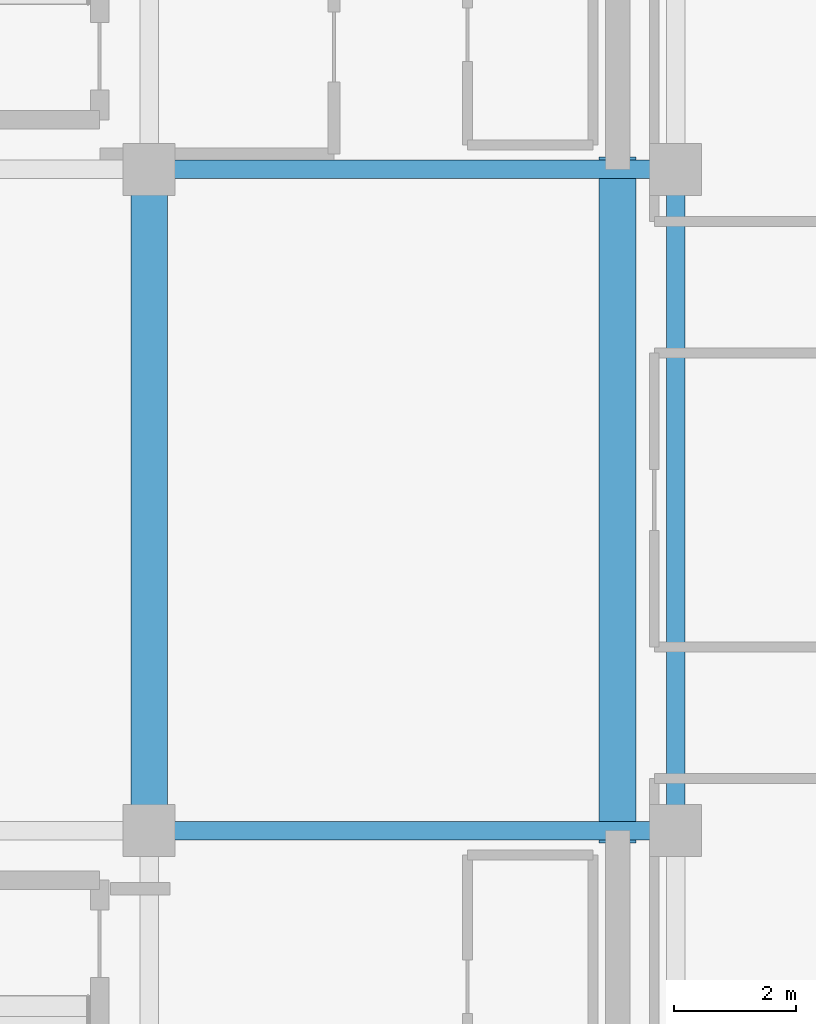
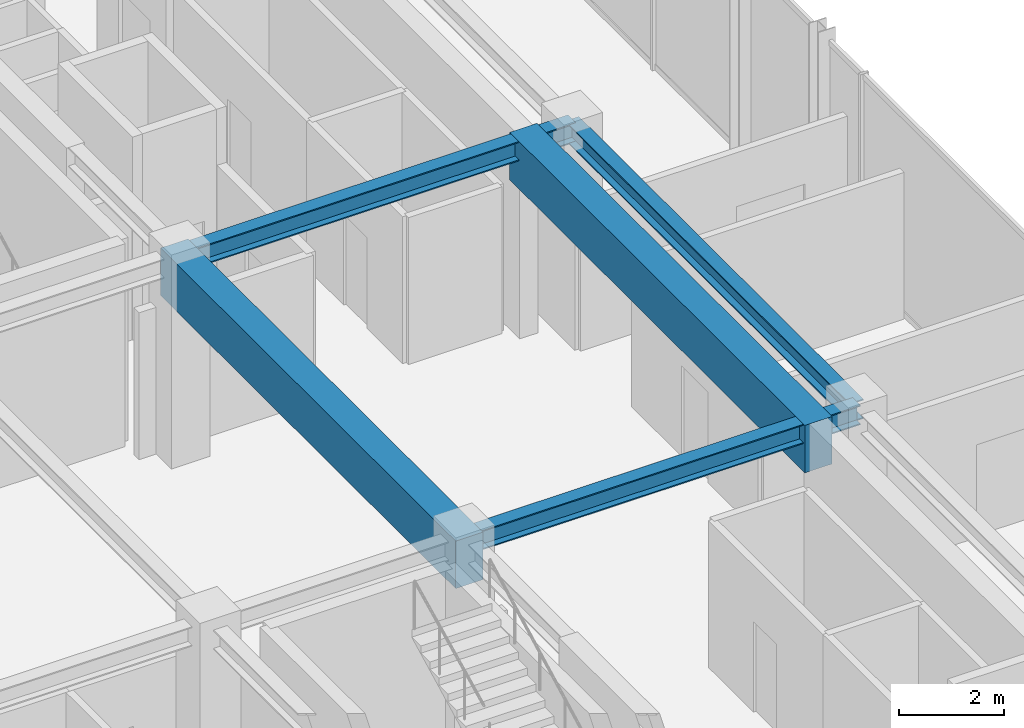
# One storey, part 14 of 28: 5 beams.
"""IFC4 building model written with IfcOpenShell, lengths in metres."""

from ifc_helpers import new_model, si_unit, direction, frame, origin, origin_2d, place, context, subcontext, project, spatial, rectangle, i_section, extrude, source, transform, mapped, material, material_profile, profile_set, type_object, element, save


model = new_model("IFC4")

# Units and contexts
model_context = context("Model", 3, precision=1e-05, world=origin(), true_north=direction((0.0, 1.0)))
body_context = subcontext(model_context, "Body", "Model", "MODEL_VIEW")
ifc_project = project(units=[si_unit("LENGTHUNIT", "METRE"), si_unit("AREAUNIT", "SQUARE_METRE"), si_unit("VOLUMEUNIT", "CUBIC_METRE"), si_unit("PLANEANGLEUNIT", "RADIAN"), si_unit("MASSUNIT", "GRAM", prefix="KILO")], contexts=[model_context])

# Site, building, storey
site_placement = place(None, origin())
site = spatial("IfcSite", under=ifc_project, at=site_placement, CompositionType="ELEMENT")
building_placement = place(site_placement, origin())
building = spatial("IfcBuilding", under=site, at=building_placement, Name="Nahalor Promenade Grand Hotel", CompositionType="ELEMENT")
storey_placement = place(building_placement, frame((0.0, 0.0, 352.050048828125)))
storey = spatial("IfcBuildingStorey", under=building, at=storey_placement, Name="L90", CompositionType="ELEMENT", Elevation=352.050048828125)

# Beams
ifc_material_1 = material(Name="Concrete B-60 (C50/60)", Category="concrete")
ifc_material_profile_1 = material_profile(ifc_material_1, rectangle(XDim=0.6, YDim=1.1, at=origin_2d()), Name="RC 600x1100")
ifc_profile_set_1 = profile_set([ifc_material_profile_1], Name="Concrete B-60 (C50/60)")
beam_type_1 = type_object("IfcBeamType", Name="Beam-Lintel-RC1100", PredefinedType="LINTEL", material=ifc_profile_set_1)
shared_shape_1 = source(origin(), body_context, "Body", "SweptSolid", [
    extrude(rectangle(XDim=0.6, YDim=1.1, at=origin_2d()), origin(), (0.0, 0.0, 1.0), 11.2001953125),
])
for number, where, z_axis, x_axis, name in (
    (1, (8.39990234375, -5.60009765625, 4.14990234375), (0.0, 1.0, 0.0), (-1.0, 0.0, 0.0), "BM-L90-LINT-W"),
    (2, (16.050048828125, -5.60009765625, 4.14990234375), (0.0, 1.0, 0.0), (-1.0, 0.0, 0.0), "BM-L90-LINT-E"),
):
    element("IfcBeam", number, at=place(storey_placement, frame(where, z_axis=z_axis, x_axis=x_axis)), inside=storey, type_object=beam_type_1, Name=name, PredefinedType="LINTEL", context=body_context, shape_type="MappedRepresentation", body=[
        mapped(shared_shape_1, transform((0.0, 0.0, 0.0), scale=1.0)),
    ])
ifc_material_2 = material(Name="Steel S355JR", Category="steel")
ifc_material_profile_2 = material_profile(ifc_material_2, i_section(OverallWidth=0.3, OverallDepth=0.45, WebThickness=0.014, FlangeThickness=0.026, at=origin_2d()), Name="HEB 450")
ifc_profile_set_2 = profile_set([ifc_material_profile_2], Name="Steel S355JR")
beam_type_2 = type_object("IfcBeamType", Name="Beam-Girder-HEB450", PredefinedType="BEAM", material=ifc_profile_set_2)
shared_shape_2 = source(origin(), body_context, "Body", "SweptSolid", [
    extrude(i_section(OverallWidth=0.3, OverallDepth=0.45, WebThickness=0.014, FlangeThickness=0.026, at=origin_2d()), origin(), (0.0, 0.0, 1.0), 8.60009765625),
])
for number, where, z_axis, x_axis, name in (
    (3, (8.39990234375, -5.39990234375, 4.474853515625), (1.0, 0.0, 0.0), (0.0, 1.0, 0.0), "BM-L90-GX-1-4"),
    (4, (8.39990234375, 5.39990234375, 4.474853515625), (1.0, 0.0, 0.0), (0.0, 1.0, 0.0), "BM-L90-GX-2-4"),
):
    element("IfcBeam", number, at=place(storey_placement, frame(where, z_axis=z_axis, x_axis=x_axis)), inside=storey, type_object=beam_type_2, Name=name, PredefinedType="BEAM", context=body_context, shape_type="MappedRepresentation", body=[
        mapped(shared_shape_2, transform((0.0, 0.0, 0.0), scale=1.0)),
    ])
shared_shape_3 = source(origin(), body_context, "Body", "SweptSolid", [
    extrude(i_section(OverallWidth=0.3, OverallDepth=0.45, WebThickness=0.014, FlangeThickness=0.026, at=origin_2d()), origin(), (0.0, 0.0, 1.0), 10.7998046875),
])
beam_placement = place(storey_placement, frame((17.0, -5.39990234375, 4.474853515625), z_axis=(0.0, 1.0, 0.0), x_axis=(-1.0, 0.0, 0.0)))
element("IfcBeam", 5, at=beam_placement, inside=storey, type_object=beam_type_2, Name="BM-L90-GY-5-1", PredefinedType="BEAM", context=body_context, shape_type="MappedRepresentation", body=[
    mapped(shared_shape_3, transform((0.0, 0.0, 0.0), scale=1.0)),
])

save(model, "model.ifc")
